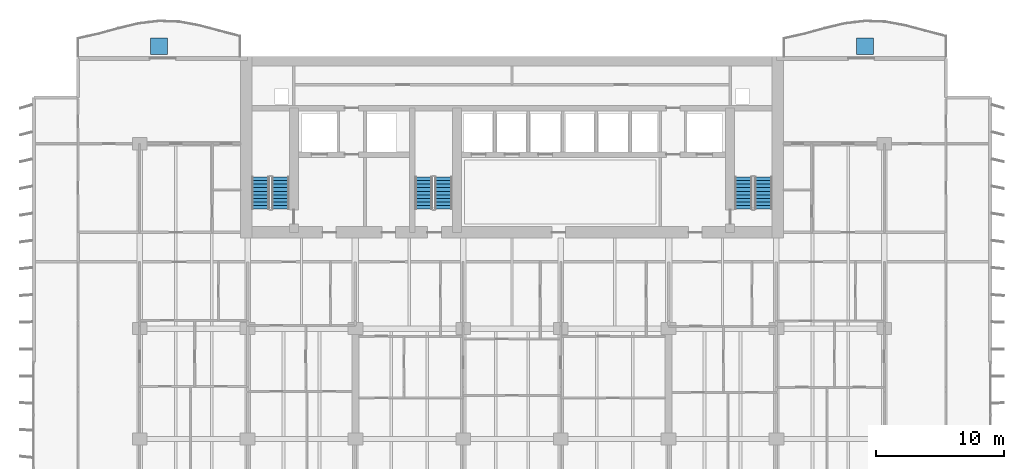
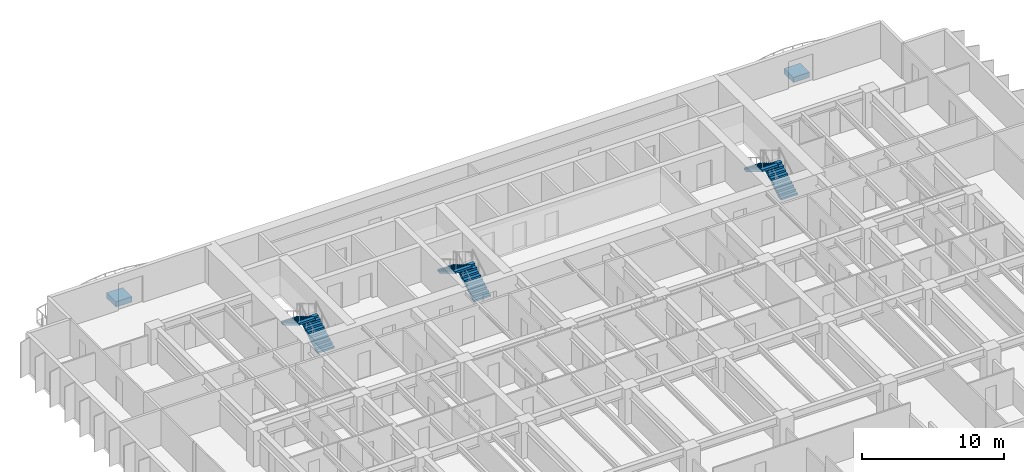
# One storey, part 13 of 17: 6 stair flights, 2 discrete accessories, 3 elements without a shape of their own.
"""IFC4 building model written with IfcOpenShell, lengths in metres."""

from ifc_helpers import new_model, si_unit, direction, frame, origin, origin_2d, place, context, subcontext, project, spatial, polyline, rectangle, outline, extrude, material, type_object, element, aggregate, save


model = new_model("IFC4")

# Units and contexts
model_context = context("Model", 3, precision=1e-05, world=origin(), true_north=direction((0.0, 1.0)))
body_context = subcontext(model_context, "Body", "Model", "MODEL_VIEW")
ifc_project = project(units=[si_unit("LENGTHUNIT", "METRE"), si_unit("AREAUNIT", "SQUARE_METRE"), si_unit("VOLUMEUNIT", "CUBIC_METRE"), si_unit("PLANEANGLEUNIT", "RADIAN"), si_unit("MASSUNIT", "GRAM", prefix="KILO")], contexts=[model_context])

# Site, building, storey
site_placement = place(None, origin())
site = spatial("IfcSite", under=ifc_project, at=site_placement, CompositionType="ELEMENT")
building_placement = place(site_placement, origin())
building = spatial("IfcBuilding", under=site, at=building_placement, Name="Caelmar Bay Residences", CompositionType="ELEMENT")
storey_placement = place(building_placement, frame((0.0, 0.0, 49.800048828125)))
storey = spatial("IfcBuildingStorey", under=building, at=storey_placement, Name="L12", CompositionType="ELEMENT", Elevation=49.800048828125)

# Stair, stair flights
ifc_material_1 = material(Name="Concrete f'c 40 MPa (6,000 psi)", Category="concrete")
stair_type = type_object("IfcStairType", Name="ST-TYP-165", PredefinedType="HALF_TURN_STAIR", material=ifc_material_1)
stair_1_placement = place(storey_placement, origin())
stair_1 = element("IfcStair", 1, at=stair_1_placement, inside=storey, type_object=stair_type, Name="L12 West Smokeproof Exit Stair ST1", PredefinedType="HALF_TURN_STAIR")
stair_flight_type = type_object("IfcStairFlightType", Name="STF-1350", PredefinedType="STRAIGHT", material=ifc_material_1)
stair_flight_1_placement = place(storey_placement, frame((20.875, 38.699951171875, 0.0), z_axis=(0.0, 0.0, 1.0), x_axis=(0.0, 1.0, 0.0)))
stair_flight_1 = element("IfcStairFlight", 2, at=stair_flight_1_placement, type_object=stair_flight_type, Name="ST1 flight 1", NumberOfRisers=10, NumberOfTreads=9, PredefinedType="STRAIGHT", RiserHeight=0.165, TreadLength=0.28, context=body_context, shape_type="SweptSolid", body=[
    extrude(outline(polyline([(0.0, 0.0), (0.0, 0.1650390625), (0.280029296875, 0.1650390625), (0.280029296875, 0.330078125), (0.56005859375, 0.330078125), (0.56005859375, 0.4951171875), (0.840087890625, 0.4951171875), (0.840087890625, 0.659912109375), (1.1201171875, 0.659912109375), (1.1201171875, 0.824951171875), (1.39990234375, 0.824951171875), (1.39990234375, 0.989990234375), (1.679931640625, 0.989990234375), (1.679931640625, 1.155029296875), (1.9599609375, 1.155029296875), (1.9599609375, 1.320068359375), (2.239990234375, 1.320068359375), (2.239990234375, 1.485107421875), (2.52001953125, 1.485107421875), (2.52001953125, 1.64990234375), (2.52001953125, 1.31103515625), (0.295166015625, 0.0), (0.0, 0.0)])), frame((0.0, 0.675048828125, 0.0), z_axis=(0.0, -1.0, 0.0), x_axis=(1.0, 0.0, 0.0)), (0.0, 0.0, 1.0), 1.35009765625),
])
stair_flight_2_placement = place(storey_placement, frame((19.324951171875, 41.219970703125, 1.64990234375), z_axis=(0.0, 0.0, 1.0), x_axis=(0.0, -1.0, 0.0)))
stair_flight_2 = element("IfcStairFlight", 3, at=stair_flight_2_placement, type_object=stair_flight_type, Name="ST1 flight 2", NumberOfRisers=10, NumberOfTreads=9, PredefinedType="STRAIGHT", RiserHeight=0.165, TreadLength=0.28, context=body_context, shape_type="SweptSolid", body=[
    extrude(outline(polyline([(0.0, 0.0), (0.0, 0.1650390625), (0.280029296875, 0.1650390625), (0.280029296875, 0.330078125), (0.56005859375, 0.330078125), (0.56005859375, 0.4951171875), (0.840087890625, 0.4951171875), (0.840087890625, 0.659912109375), (1.1201171875, 0.659912109375), (1.1201171875, 0.824951171875), (1.39990234375, 0.824951171875), (1.39990234375, 0.989990234375), (1.679931640625, 0.989990234375), (1.679931640625, 1.155029296875), (1.9599609375, 1.155029296875), (1.9599609375, 1.320068359375), (2.239990234375, 1.320068359375), (2.239990234375, 1.485107421875), (2.52001953125, 1.485107421875), (2.52001953125, 1.64990234375), (2.52001953125, 1.31103515625), (0.295166015625, 0.0), (0.0, 0.0)])), frame((0.0, 0.675048828125, 0.0), z_axis=(0.0, -1.0, 0.0), x_axis=(1.0, 0.0, 0.0)), (0.0, 0.0, 1.0), 1.35009765625),
])
aggregate(stair_1, [stair_flight_1, stair_flight_2])

stair_2_placement = place(storey_placement, origin())
stair_2 = element("IfcStair", 4, at=stair_2_placement, inside=storey, type_object=stair_type, Name="L12 East Smokeproof Exit Stair ST2", PredefinedType="HALF_TURN_STAIR")
stair_flight_3_placement = place(storey_placement, frame((58.47509765625, 38.699951171875, 0.0), z_axis=(0.0, 0.0, 1.0), x_axis=(0.0, 1.0, 0.0)))
stair_flight_3 = element("IfcStairFlight", 5, at=stair_flight_3_placement, type_object=stair_flight_type, Name="ST2 flight 1", NumberOfRisers=10, NumberOfTreads=9, PredefinedType="STRAIGHT", RiserHeight=0.165, TreadLength=0.28, context=body_context, shape_type="SweptSolid", body=[
    extrude(outline(polyline([(0.0, 0.0), (0.0, 0.1650390625), (0.280029296875, 0.1650390625), (0.280029296875, 0.330078125), (0.56005859375, 0.330078125), (0.56005859375, 0.4951171875), (0.840087890625, 0.4951171875), (0.840087890625, 0.659912109375), (1.1201171875, 0.659912109375), (1.1201171875, 0.824951171875), (1.39990234375, 0.824951171875), (1.39990234375, 0.989990234375), (1.679931640625, 0.989990234375), (1.679931640625, 1.155029296875), (1.9599609375, 1.155029296875), (1.9599609375, 1.320068359375), (2.239990234375, 1.320068359375), (2.239990234375, 1.485107421875), (2.52001953125, 1.485107421875), (2.52001953125, 1.64990234375), (2.52001953125, 1.31103515625), (0.295166015625, 0.0), (0.0, 0.0)])), frame((0.0, 0.675048828125, 0.0), z_axis=(0.0, -1.0, 0.0), x_axis=(1.0, 0.0, 0.0)), (0.0, 0.0, 1.0), 1.35009765625),
])
stair_flight_4_placement = place(storey_placement, frame((56.925048828125, 41.219970703125, 1.64990234375), z_axis=(0.0, 0.0, 1.0), x_axis=(0.0, -1.0, 0.0)))
stair_flight_4 = element("IfcStairFlight", 6, at=stair_flight_4_placement, type_object=stair_flight_type, Name="ST2 flight 2", NumberOfRisers=10, NumberOfTreads=9, PredefinedType="STRAIGHT", RiserHeight=0.165, TreadLength=0.28, context=body_context, shape_type="SweptSolid", body=[
    extrude(outline(polyline([(0.0, 0.0), (0.0, 0.1650390625), (0.280029296875, 0.1650390625), (0.280029296875, 0.330078125), (0.56005859375, 0.330078125), (0.56005859375, 0.4951171875), (0.840087890625, 0.4951171875), (0.840087890625, 0.659912109375), (1.1201171875, 0.659912109375), (1.1201171875, 0.824951171875), (1.39990234375, 0.824951171875), (1.39990234375, 0.989990234375), (1.679931640625, 0.989990234375), (1.679931640625, 1.155029296875), (1.9599609375, 1.155029296875), (1.9599609375, 1.320068359375), (2.239990234375, 1.320068359375), (2.239990234375, 1.485107421875), (2.52001953125, 1.485107421875), (2.52001953125, 1.64990234375), (2.52001953125, 1.31103515625), (0.295166015625, 0.0), (0.0, 0.0)])), frame((0.0, 0.675048828125, 0.0), z_axis=(0.0, -1.0, 0.0), x_axis=(1.0, 0.0, 0.0)), (0.0, 0.0, 1.0), 1.35009765625),
])
aggregate(stair_2, [stair_flight_3, stair_flight_4])

stair_3_placement = place(storey_placement, origin())
stair_3 = element("IfcStair", 7, at=stair_3_placement, inside=storey, type_object=stair_type, Name="L12 Central Smokeproof Exit Stair ST3", PredefinedType="HALF_TURN_STAIR")
stair_flight_5_placement = place(storey_placement, frame((33.574951171875, 38.699951171875, 0.0), z_axis=(0.0, 0.0, 1.0), x_axis=(0.0, 1.0, 0.0)))
stair_flight_5 = element("IfcStairFlight", 8, at=stair_flight_5_placement, type_object=stair_flight_type, Name="ST3 flight 1", NumberOfRisers=10, NumberOfTreads=9, PredefinedType="STRAIGHT", RiserHeight=0.165, TreadLength=0.28, context=body_context, shape_type="SweptSolid", body=[
    extrude(outline(polyline([(0.0, 0.0), (0.0, 0.1650390625), (0.280029296875, 0.1650390625), (0.280029296875, 0.330078125), (0.56005859375, 0.330078125), (0.56005859375, 0.4951171875), (0.840087890625, 0.4951171875), (0.840087890625, 0.659912109375), (1.1201171875, 0.659912109375), (1.1201171875, 0.824951171875), (1.39990234375, 0.824951171875), (1.39990234375, 0.989990234375), (1.679931640625, 0.989990234375), (1.679931640625, 1.155029296875), (1.9599609375, 1.155029296875), (1.9599609375, 1.320068359375), (2.239990234375, 1.320068359375), (2.239990234375, 1.485107421875), (2.52001953125, 1.485107421875), (2.52001953125, 1.64990234375), (2.52001953125, 1.31103515625), (0.295166015625, 0.0), (0.0, 0.0)])), frame((0.0, 0.675048828125, 0.0), z_axis=(0.0, -1.0, 0.0), x_axis=(1.0, 0.0, 0.0)), (0.0, 0.0, 1.0), 1.35009765625),
])
stair_flight_6_placement = place(storey_placement, frame((32.02490234375, 41.219970703125, 1.64990234375), z_axis=(0.0, 0.0, 1.0), x_axis=(0.0, -1.0, 0.0)))
stair_flight_6 = element("IfcStairFlight", 9, at=stair_flight_6_placement, type_object=stair_flight_type, Name="ST3 flight 2", NumberOfRisers=10, NumberOfTreads=9, PredefinedType="STRAIGHT", RiserHeight=0.165, TreadLength=0.28, context=body_context, shape_type="SweptSolid", body=[
    extrude(outline(polyline([(0.0, 0.0), (0.0, 0.1650390625), (0.280029296875, 0.1650390625), (0.280029296875, 0.330078125), (0.56005859375, 0.330078125), (0.56005859375, 0.4951171875), (0.840087890625, 0.4951171875), (0.840087890625, 0.659912109375), (1.1201171875, 0.659912109375), (1.1201171875, 0.824951171875), (1.39990234375, 0.824951171875), (1.39990234375, 0.989990234375), (1.679931640625, 0.989990234375), (1.679931640625, 1.155029296875), (1.9599609375, 1.155029296875), (1.9599609375, 1.320068359375), (2.239990234375, 1.320068359375), (2.239990234375, 1.485107421875), (2.52001953125, 1.485107421875), (2.52001953125, 1.64990234375), (2.52001953125, 1.31103515625), (0.295166015625, 0.0), (0.0, 0.0)])), frame((0.0, 0.675048828125, 0.0), z_axis=(0.0, -1.0, 0.0), x_axis=(1.0, 0.0, 0.0)), (0.0, 0.0, 1.0), 1.35009765625),
])
aggregate(stair_3, [stair_flight_5, stair_flight_6])

# Discrete accessories
ifc_material_2 = material(Name="Precast concrete f'c 40 MPa (6,000 psi)", Category="concrete")
discrete_accessory_type = type_object("IfcDiscreteAccessoryType", Name="STR-PLANTER-KERB-450", PredefinedType="USERDEFINED", material=ifc_material_2)
for number, where, z_axis, x_axis, name in (
    (10, (11.39990234375, 51.39990234375, 0.0), (0.0, 0.0, 1.0), (1.0, 0.0, 0.0), "L12 north_west Structural Tree Planter Kerb"),
    (11, (66.39990234375, 51.39990234375, 0.0), (0.0, 0.0, 1.0), (1.0, 0.0, 0.0), "L12 north_east Structural Tree Planter Kerb"),
):
    element("IfcDiscreteAccessory", number, at=place(storey_placement, frame(where, z_axis=z_axis, x_axis=x_axis)), inside=storey, type_object=discrete_accessory_type, Name=name, ObjectType="PLANTER", PredefinedType="USERDEFINED", context=body_context, shape_type="SweptSolid", body=[
        extrude(rectangle(XDim=1.300048828125, YDim=1.300048828125, at=origin_2d()), origin(), (0.0, 0.0, 1.0), 0.449951171875),
    ])

save(model, "model.ifc")
